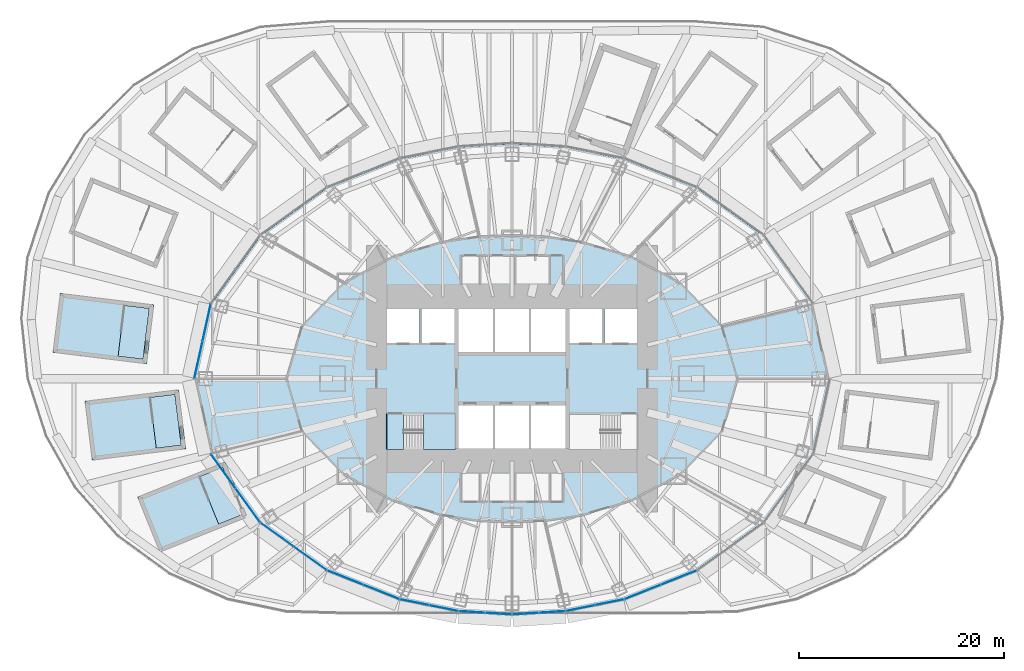
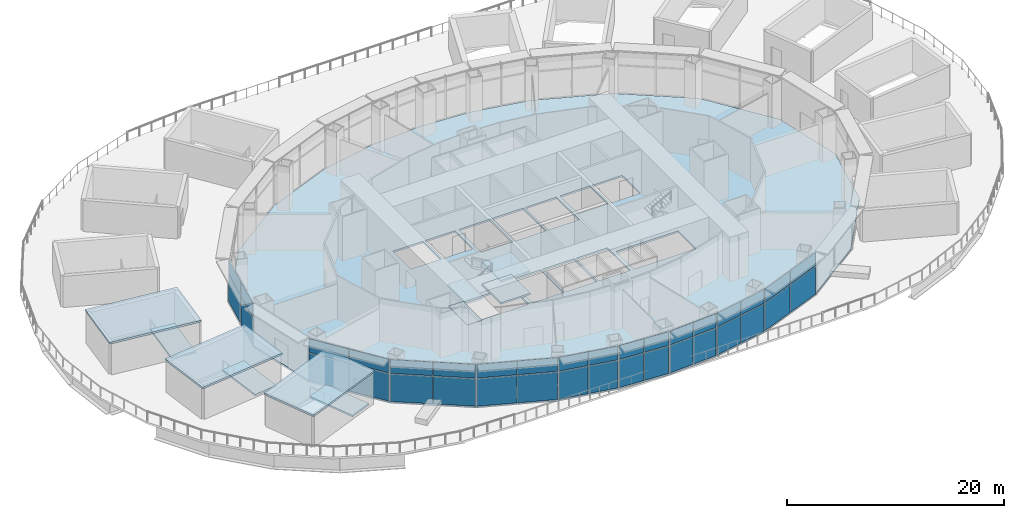
# One storey, part 13 of 25: 36 plates, 11 slabs, 10 elements without a shape of their own.
"""IFC4 building model written with IfcOpenShell, lengths in metres."""

from ifc_helpers import new_model, si_unit, direction, frame, origin, origin_2d, place, context, subcontext, project, spatial, polyline, rectangle, outline, extrude, material, layer, layer_set, type_object, element, aggregate, save


model = new_model("IFC4")

# Units and contexts
model_context = context("Model", 3, precision=1e-05, world=origin(), true_north=direction((0.0, 1.0)))
body_context = subcontext(model_context, "Body", "Model", "MODEL_VIEW")
ifc_project = project(units=[si_unit("LENGTHUNIT", "METRE"), si_unit("AREAUNIT", "SQUARE_METRE"), si_unit("VOLUMEUNIT", "CUBIC_METRE"), si_unit("PLANEANGLEUNIT", "RADIAN"), si_unit("MASSUNIT", "GRAM", prefix="KILO")], contexts=[model_context])

# Site, building, storey
site_placement = place(None, origin())
site = spatial("IfcSite", under=ifc_project, at=site_placement, CompositionType="ELEMENT")
building_placement = place(site_placement, origin())
building = spatial("IfcBuilding", under=site, at=building_placement, Name="Lantaw Convention Tower", CompositionType="ELEMENT")
storey_placement = place(building_placement, frame((0.0, 0.0, 32.0)))
storey = spatial("IfcBuildingStorey", under=building, at=storey_placement, Name="L05", CompositionType="ELEMENT", Elevation=32.0)

# Curtain wall, plates
ifc_material_1 = material(Name="Aluminium framed curtain wall", Category="aluminium")
curtain_wall_type = type_object("IfcCurtainWallType", Name="Sky lobby curtain wall L05, pale aluminium", PredefinedType="USERDEFINED", material=ifc_material_1)
curtain_wall_1_placement = place(storey_placement, origin())
curtain_wall_1 = element("IfcCurtainWall", 1, at=curtain_wall_1_placement, inside=storey, type_object=curtain_wall_type, Name="Sky lobby curtain wall L05, pale aluminium L05", ObjectType="STICK CURTAIN WALL", PredefinedType="USERDEFINED")
ifc_material_2 = material(Name="Clear insulating glass", Category="glass")
ifc_layer_1 = layer(ifc_material_2, 0.030029296875)
ifc_layer_set_1 = layer_set([ifc_layer_1], Name="CW-HL panel 30")
plate_type = type_object("IfcPlateType", Name="CW-HL panel 30", PredefinedType="CURTAIN_PANEL", material=ifc_layer_set_1)
plate_1_placement = place(storey_placement, frame((-29.79296875, 5.4765625, 0.074951171875), z_axis=(0.0, 0.0, 1.0), x_axis=(-0.215246056391, -0.976559847223, 0.0)))
plate_1 = element("IfcPlate", 2, at=plate_1_placement, type_object=plate_type, Name="CW-HL panel 1.1", PredefinedType="CURTAIN_PANEL", context=body_context, shape_type="SweptSolid", body=[
    extrude(rectangle(XDim=3.638671875, YDim=0.030029296875, at=origin_2d()), origin(), (0.0, 0.0, 1.0), 3.08740234375),
])
plate_2_placement = place(storey_placement, frame((-29.79296875, 5.4765625, 3.237548828125), z_axis=(0.0, 0.0, 1.0), x_axis=(-0.215246056391, -0.976559847223, 0.0)))
plate_2 = element("IfcPlate", 3, at=plate_2_placement, type_object=plate_type, Name="CW-HL panel 1.2", PredefinedType="CURTAIN_PANEL", context=body_context, shape_type="SweptSolid", body=[
    extrude(rectangle(XDim=3.638671875, YDim=0.030029296875, at=origin_2d()), origin(), (0.0, 0.0, 1.0), 1.53759765625),
])
plate_3_placement = place(storey_placement, frame((-30.59228515625, 1.849853515625, 0.074951171875), z_axis=(0.0, 0.0, 1.0), x_axis=(-0.215246056391, -0.976559847223, 0.0)))
plate_3 = element("IfcPlate", 4, at=plate_3_placement, type_object=plate_type, Name="CW-HL panel 2.1", PredefinedType="CURTAIN_PANEL", context=body_context, shape_type="SweptSolid", body=[
    extrude(rectangle(XDim=3.638671875, YDim=0.030029296875, at=origin_2d()), origin(), (0.0, 0.0, 1.0), 3.08740234375),
])
plate_4_placement = place(storey_placement, frame((-30.59228515625, 1.849853515625, 3.237548828125), z_axis=(0.0, 0.0, 1.0), x_axis=(-0.215246056391, -0.976559847223, 0.0)))
plate_4 = element("IfcPlate", 5, at=plate_4_placement, type_object=plate_type, Name="CW-HL panel 2.2", PredefinedType="CURTAIN_PANEL", context=body_context, shape_type="SweptSolid", body=[
    extrude(rectangle(XDim=3.638671875, YDim=0.030029296875, at=origin_2d()), origin(), (0.0, 0.0, 1.0), 1.53759765625),
])
aggregate(curtain_wall_1, [plate_1, plate_2, plate_3, plate_4])

curtain_wall_2_placement = place(storey_placement, origin())
curtain_wall_2 = element("IfcCurtainWall", 6, at=curtain_wall_2_placement, inside=storey, type_object=curtain_wall_type, Name="Sky lobby curtain wall L05, pale aluminium L05", ObjectType="STICK CURTAIN WALL", PredefinedType="USERDEFINED")
plate_5_placement = place(storey_placement, frame((-28.16796875, -9.018798828125, 0.074951171875), z_axis=(0.0, 0.0, 1.0), x_axis=(0.583951250436, -0.811788726895, 0.0)))
plate_5 = element("IfcPlate", 7, at=plate_5_placement, type_object=plate_type, Name="CW-HL panel 1.1", PredefinedType="CURTAIN_PANEL", context=body_context, shape_type="SweptSolid", body=[
    extrude(rectangle(XDim=4.01904296875, YDim=0.030029296875, at=origin_2d()), origin(), (0.0, 0.0, 1.0), 3.08740234375),
])
plate_6_placement = place(storey_placement, frame((-28.16796875, -9.018798828125, 3.237548828125), z_axis=(0.0, 0.0, 1.0), x_axis=(0.583951250436, -0.811788726895, 0.0)))
plate_6 = element("IfcPlate", 8, at=plate_6_placement, type_object=plate_type, Name="CW-HL panel 1.2", PredefinedType="CURTAIN_PANEL", context=body_context, shape_type="SweptSolid", body=[
    extrude(rectangle(XDim=4.01904296875, YDim=0.030029296875, at=origin_2d()), origin(), (0.0, 0.0, 1.0), 1.53759765625),
])
plate_7_placement = place(storey_placement, frame((-25.77734375, -12.342041015625, 0.074951171875), z_axis=(0.0, 0.0, 1.0), x_axis=(0.583951250436, -0.811788726895, 0.0)))
plate_7 = element("IfcPlate", 9, at=plate_7_placement, type_object=plate_type, Name="CW-HL panel 2.1", PredefinedType="CURTAIN_PANEL", context=body_context, shape_type="SweptSolid", body=[
    extrude(rectangle(XDim=4.01904296875, YDim=0.030029296875, at=origin_2d()), origin(), (0.0, 0.0, 1.0), 3.08740234375),
])
plate_8_placement = place(storey_placement, frame((-25.77734375, -12.342041015625, 3.237548828125), z_axis=(0.0, 0.0, 1.0), x_axis=(0.583951250436, -0.811788726895, 0.0)))
plate_8 = element("IfcPlate", 10, at=plate_8_placement, type_object=plate_type, Name="CW-HL panel 2.2", PredefinedType="CURTAIN_PANEL", context=body_context, shape_type="SweptSolid", body=[
    extrude(rectangle(XDim=4.01904296875, YDim=0.030029296875, at=origin_2d()), origin(), (0.0, 0.0, 1.0), 1.53759765625),
])
aggregate(curtain_wall_2, [plate_5, plate_6, plate_7, plate_8])

curtain_wall_3_placement = place(storey_placement, origin())
curtain_wall_3 = element("IfcCurtainWall", 11, at=curtain_wall_3_placement, inside=storey, type_object=curtain_wall_type, Name="Sky lobby curtain wall L05, pale aluminium L05", ObjectType="STICK CURTAIN WALL", PredefinedType="USERDEFINED")
plate_9_placement = place(storey_placement, frame((-22.91845703125, -15.210693359375, 0.074951171875), z_axis=(0.0, 0.0, 1.0), x_axis=(0.812803733199, -0.5825376308, 0.0)))
plate_9 = element("IfcPlate", 12, at=plate_9_placement, type_object=plate_type, Name="CW-HL panel 1.1", PredefinedType="CURTAIN_PANEL", context=body_context, shape_type="SweptSolid", body=[
    extrude(rectangle(XDim=3.88916015625, YDim=0.030029296875, at=origin_2d()), origin(), (0.0, 0.0, 1.0), 3.08740234375),
])
plate_10_placement = place(storey_placement, frame((-22.91845703125, -15.210693359375, 3.237548828125), z_axis=(0.0, 0.0, 1.0), x_axis=(0.812803733199, -0.5825376308, 0.0)))
plate_10 = element("IfcPlate", 13, at=plate_10_placement, type_object=plate_type, Name="CW-HL panel 1.2", PredefinedType="CURTAIN_PANEL", context=body_context, shape_type="SweptSolid", body=[
    extrude(rectangle(XDim=3.88916015625, YDim=0.030029296875, at=origin_2d()), origin(), (0.0, 0.0, 1.0), 1.53759765625),
])
plate_11_placement = place(storey_placement, frame((-19.696533203125, -17.52001953125, 0.074951171875), z_axis=(0.0, 0.0, 1.0), x_axis=(0.812803733199, -0.5825376308, 0.0)))
plate_11 = element("IfcPlate", 14, at=plate_11_placement, type_object=plate_type, Name="CW-HL panel 2.1", PredefinedType="CURTAIN_PANEL", context=body_context, shape_type="SweptSolid", body=[
    extrude(rectangle(XDim=3.88916015625, YDim=0.030029296875, at=origin_2d()), origin(), (0.0, 0.0, 1.0), 3.08740234375),
])
plate_12_placement = place(storey_placement, frame((-19.696533203125, -17.52001953125, 3.237548828125), z_axis=(0.0, 0.0, 1.0), x_axis=(0.812803733199, -0.5825376308, 0.0)))
plate_12 = element("IfcPlate", 15, at=plate_12_placement, type_object=plate_type, Name="CW-HL panel 2.2", PredefinedType="CURTAIN_PANEL", context=body_context, shape_type="SweptSolid", body=[
    extrude(rectangle(XDim=3.88916015625, YDim=0.030029296875, at=origin_2d()), origin(), (0.0, 0.0, 1.0), 1.53759765625),
])
aggregate(curtain_wall_3, [plate_9, plate_10, plate_11, plate_12])

curtain_wall_4_placement = place(storey_placement, origin())
curtain_wall_4 = element("IfcCurtainWall", 16, at=curtain_wall_4_placement, inside=storey, type_object=curtain_wall_type, Name="Sky lobby curtain wall L05, pale aluminium L05", ObjectType="STICK CURTAIN WALL", PredefinedType="USERDEFINED")
plate_13_placement = place(storey_placement, frame((-16.26416015625, -19.40771484375, 0.074951171875), z_axis=(0.0, 0.0, 1.0), x_axis=(0.929361152748, -0.369171840425, 0.0)))
plate_13 = element("IfcPlate", 17, at=plate_13_placement, type_object=plate_type, Name="CW-HL panel 1.1", PredefinedType="CURTAIN_PANEL", context=body_context, shape_type="SweptSolid", body=[
    extrude(rectangle(XDim=3.70361328125, YDim=0.030029296875, at=origin_2d()), origin(), (0.0, 0.0, 1.0), 3.08740234375),
])
plate_14_placement = place(storey_placement, frame((-16.26416015625, -19.40771484375, 3.237548828125), z_axis=(0.0, 0.0, 1.0), x_axis=(0.929361152748, -0.369171840425, 0.0)))
plate_14 = element("IfcPlate", 18, at=plate_14_placement, type_object=plate_type, Name="CW-HL panel 1.2", PredefinedType="CURTAIN_PANEL", context=body_context, shape_type="SweptSolid", body=[
    extrude(rectangle(XDim=3.70361328125, YDim=0.030029296875, at=origin_2d()), origin(), (0.0, 0.0, 1.0), 1.53759765625),
])
plate_15_placement = place(storey_placement, frame((-12.752685546875, -20.802734375, 0.074951171875), z_axis=(0.0, 0.0, 1.0), x_axis=(0.929361152748, -0.369171840425, 0.0)))
plate_15 = element("IfcPlate", 19, at=plate_15_placement, type_object=plate_type, Name="CW-HL panel 2.1", PredefinedType="CURTAIN_PANEL", context=body_context, shape_type="SweptSolid", body=[
    extrude(rectangle(XDim=3.70361328125, YDim=0.030029296875, at=origin_2d()), origin(), (0.0, 0.0, 1.0), 3.08740234375),
])
plate_16_placement = place(storey_placement, frame((-12.752685546875, -20.802734375, 3.237548828125), z_axis=(0.0, 0.0, 1.0), x_axis=(0.929361152748, -0.369171840425, 0.0)))
plate_16 = element("IfcPlate", 20, at=plate_16_placement, type_object=plate_type, Name="CW-HL panel 2.2", PredefinedType="CURTAIN_PANEL", context=body_context, shape_type="SweptSolid", body=[
    extrude(rectangle(XDim=3.70361328125, YDim=0.030029296875, at=origin_2d()), origin(), (0.0, 0.0, 1.0), 1.53759765625),
])
aggregate(curtain_wall_4, [plate_13, plate_14, plate_15, plate_16])

curtain_wall_5_placement = place(storey_placement, origin())
curtain_wall_5 = element("IfcCurtainWall", 21, at=curtain_wall_5_placement, inside=storey, type_object=curtain_wall_type, Name="Sky lobby curtain wall L05, pale aluminium L05", ObjectType="STICK CURTAIN WALL", PredefinedType="USERDEFINED")
plate_17_placement = place(storey_placement, frame((-9.511474609375, -21.806640625, 0.074951171875), z_axis=(0.0, 0.0, 1.0), x_axis=(0.980244604501, -0.197789067813, 0.0)))
plate_17 = element("IfcPlate", 22, at=plate_17_placement, type_object=plate_type, Name="CW-HL panel 1.1", PredefinedType="CURTAIN_PANEL", context=body_context, shape_type="SweptSolid", body=[
    extrude(rectangle(XDim=2.809326171875, YDim=0.030029296875, at=origin_2d()), origin(), (0.0, 0.0, 1.0), 3.08740234375),
])
plate_18_placement = place(storey_placement, frame((-9.511474609375, -21.806640625, 3.237548828125), z_axis=(0.0, 0.0, 1.0), x_axis=(0.980244604501, -0.197789067813, 0.0)))
plate_18 = element("IfcPlate", 23, at=plate_18_placement, type_object=plate_type, Name="CW-HL panel 1.2", PredefinedType="CURTAIN_PANEL", context=body_context, shape_type="SweptSolid", body=[
    extrude(rectangle(XDim=2.809326171875, YDim=0.030029296875, at=origin_2d()), origin(), (0.0, 0.0, 1.0), 1.53759765625),
])
plate_19_placement = place(storey_placement, frame((-6.68408203125, -22.377197265625, 0.074951171875), z_axis=(0.0, 0.0, 1.0), x_axis=(0.980244604501, -0.197789067813, 0.0)))
plate_19 = element("IfcPlate", 24, at=plate_19_placement, type_object=plate_type, Name="CW-HL panel 2.1", PredefinedType="CURTAIN_PANEL", context=body_context, shape_type="SweptSolid", body=[
    extrude(rectangle(XDim=2.809326171875, YDim=0.030029296875, at=origin_2d()), origin(), (0.0, 0.0, 1.0), 3.08740234375),
])
plate_20_placement = place(storey_placement, frame((-6.68408203125, -22.377197265625, 3.237548828125), z_axis=(0.0, 0.0, 1.0), x_axis=(0.980244604501, -0.197789067813, 0.0)))
plate_20 = element("IfcPlate", 25, at=plate_20_placement, type_object=plate_type, Name="CW-HL panel 2.2", PredefinedType="CURTAIN_PANEL", context=body_context, shape_type="SweptSolid", body=[
    extrude(rectangle(XDim=2.809326171875, YDim=0.030029296875, at=origin_2d()), origin(), (0.0, 0.0, 1.0), 1.53759765625),
])
aggregate(curtain_wall_5, [plate_17, plate_18, plate_19, plate_20])

curtain_wall_6_placement = place(storey_placement, origin())
curtain_wall_6 = element("IfcCurtainWall", 26, at=curtain_wall_6_placement, inside=storey, type_object=curtain_wall_type, Name="Sky lobby curtain wall L05, pale aluminium L05", ObjectType="STICK CURTAIN WALL", PredefinedType="USERDEFINED")
plate_21_placement = place(storey_placement, frame((-3.906494140625, -22.753662109375, 0.074951171875), z_axis=(0.0, 0.0, 1.0), x_axis=(0.998016153807, -0.062958373078, 0.0)))
plate_21 = element("IfcPlate", 27, at=plate_21_placement, type_object=plate_type, Name="CW-HL panel 1.1", PredefinedType="CURTAIN_PANEL", context=body_context, shape_type="SweptSolid", body=[
    extrude(rectangle(XDim=2.509521484375, YDim=0.030029296875, at=origin_2d()), origin(), (0.0, 0.0, 1.0), 3.08740234375),
])
plate_22_placement = place(storey_placement, frame((-3.906494140625, -22.753662109375, 3.237548828125), z_axis=(0.0, 0.0, 1.0), x_axis=(0.998016153807, -0.062958373078, 0.0)))
plate_22 = element("IfcPlate", 28, at=plate_22_placement, type_object=plate_type, Name="CW-HL panel 1.2", PredefinedType="CURTAIN_PANEL", context=body_context, shape_type="SweptSolid", body=[
    extrude(rectangle(XDim=2.509521484375, YDim=0.030029296875, at=origin_2d()), origin(), (0.0, 0.0, 1.0), 1.53759765625),
])
plate_23_placement = place(storey_placement, frame((-1.3271484375, -22.916259765625, 0.074951171875), z_axis=(0.0, 0.0, 1.0), x_axis=(0.998016153807, -0.062958373078, 0.0)))
plate_23 = element("IfcPlate", 29, at=plate_23_placement, type_object=plate_type, Name="CW-HL panel 2.1", PredefinedType="CURTAIN_PANEL", context=body_context, shape_type="SweptSolid", body=[
    extrude(rectangle(XDim=2.509521484375, YDim=0.030029296875, at=origin_2d()), origin(), (0.0, 0.0, 1.0), 3.08740234375),
])
plate_24_placement = place(storey_placement, frame((-1.3271484375, -22.916259765625, 3.237548828125), z_axis=(0.0, 0.0, 1.0), x_axis=(0.998016153807, -0.062958373078, 0.0)))
plate_24 = element("IfcPlate", 30, at=plate_24_placement, type_object=plate_type, Name="CW-HL panel 2.2", PredefinedType="CURTAIN_PANEL", context=body_context, shape_type="SweptSolid", body=[
    extrude(rectangle(XDim=2.509521484375, YDim=0.030029296875, at=origin_2d()), origin(), (0.0, 0.0, 1.0), 1.53759765625),
])
aggregate(curtain_wall_6, [plate_21, plate_22, plate_23, plate_24])

curtain_wall_7_placement = place(storey_placement, origin())
curtain_wall_7 = element("IfcCurtainWall", 31, at=curtain_wall_7_placement, inside=storey, type_object=curtain_wall_type, Name="Sky lobby curtain wall L05, pale aluminium L05", ObjectType="STICK CURTAIN WALL", PredefinedType="USERDEFINED")
plate_25_placement = place(storey_placement, frame((1.3271484375, -22.916259765625, 0.074951171875), z_axis=(0.0, 0.0, 1.0), x_axis=(0.998016153807, 0.062958373078, 0.0)))
plate_25 = element("IfcPlate", 32, at=plate_25_placement, type_object=plate_type, Name="CW-HL panel 1.1", PredefinedType="CURTAIN_PANEL", context=body_context, shape_type="SweptSolid", body=[
    extrude(rectangle(XDim=2.509521484375, YDim=0.030029296875, at=origin_2d()), origin(), (0.0, 0.0, 1.0), 3.08740234375),
])
plate_26_placement = place(storey_placement, frame((1.3271484375, -22.916259765625, 3.237548828125), z_axis=(0.0, 0.0, 1.0), x_axis=(0.998016153807, 0.062958373078, 0.0)))
plate_26 = element("IfcPlate", 33, at=plate_26_placement, type_object=plate_type, Name="CW-HL panel 1.2", PredefinedType="CURTAIN_PANEL", context=body_context, shape_type="SweptSolid", body=[
    extrude(rectangle(XDim=2.509521484375, YDim=0.030029296875, at=origin_2d()), origin(), (0.0, 0.0, 1.0), 1.53759765625),
])
plate_27_placement = place(storey_placement, frame((3.906494140625, -22.753662109375, 0.074951171875), z_axis=(0.0, 0.0, 1.0), x_axis=(0.998016153807, 0.062958373078, 0.0)))
plate_27 = element("IfcPlate", 34, at=plate_27_placement, type_object=plate_type, Name="CW-HL panel 2.1", PredefinedType="CURTAIN_PANEL", context=body_context, shape_type="SweptSolid", body=[
    extrude(rectangle(XDim=2.509521484375, YDim=0.030029296875, at=origin_2d()), origin(), (0.0, 0.0, 1.0), 3.08740234375),
])
plate_28_placement = place(storey_placement, frame((3.906494140625, -22.753662109375, 3.237548828125), z_axis=(0.0, 0.0, 1.0), x_axis=(0.998016153807, 0.062958373078, 0.0)))
plate_28 = element("IfcPlate", 35, at=plate_28_placement, type_object=plate_type, Name="CW-HL panel 2.2", PredefinedType="CURTAIN_PANEL", context=body_context, shape_type="SweptSolid", body=[
    extrude(rectangle(XDim=2.509521484375, YDim=0.030029296875, at=origin_2d()), origin(), (0.0, 0.0, 1.0), 1.53759765625),
])
aggregate(curtain_wall_7, [plate_25, plate_26, plate_27, plate_28])

curtain_wall_8_placement = place(storey_placement, origin())
curtain_wall_8 = element("IfcCurtainWall", 36, at=curtain_wall_8_placement, inside=storey, type_object=curtain_wall_type, Name="Sky lobby curtain wall L05, pale aluminium L05", ObjectType="STICK CURTAIN WALL", PredefinedType="USERDEFINED")
plate_29_placement = place(storey_placement, frame((6.68408203125, -22.377197265625, 0.074951171875), z_axis=(0.0, 0.0, 1.0), x_axis=(0.980244604501, 0.197789067813, 0.0)))
plate_29 = element("IfcPlate", 37, at=plate_29_placement, type_object=plate_type, Name="CW-HL panel 1.1", PredefinedType="CURTAIN_PANEL", context=body_context, shape_type="SweptSolid", body=[
    extrude(rectangle(XDim=2.809326171875, YDim=0.030029296875, at=origin_2d()), origin(), (0.0, 0.0, 1.0), 3.08740234375),
])
plate_30_placement = place(storey_placement, frame((6.68408203125, -22.377197265625, 3.237548828125), z_axis=(0.0, 0.0, 1.0), x_axis=(0.980244604501, 0.197789067813, 0.0)))
plate_30 = element("IfcPlate", 38, at=plate_30_placement, type_object=plate_type, Name="CW-HL panel 1.2", PredefinedType="CURTAIN_PANEL", context=body_context, shape_type="SweptSolid", body=[
    extrude(rectangle(XDim=2.809326171875, YDim=0.030029296875, at=origin_2d()), origin(), (0.0, 0.0, 1.0), 1.53759765625),
])
plate_31_placement = place(storey_placement, frame((9.511474609375, -21.806640625, 0.074951171875), z_axis=(0.0, 0.0, 1.0), x_axis=(0.980244604501, 0.197789067813, 0.0)))
plate_31 = element("IfcPlate", 39, at=plate_31_placement, type_object=plate_type, Name="CW-HL panel 2.1", PredefinedType="CURTAIN_PANEL", context=body_context, shape_type="SweptSolid", body=[
    extrude(rectangle(XDim=2.809326171875, YDim=0.030029296875, at=origin_2d()), origin(), (0.0, 0.0, 1.0), 3.08740234375),
])
plate_32_placement = place(storey_placement, frame((9.511474609375, -21.806640625, 3.237548828125), z_axis=(0.0, 0.0, 1.0), x_axis=(0.980244604501, 0.197789067813, 0.0)))
plate_32 = element("IfcPlate", 40, at=plate_32_placement, type_object=plate_type, Name="CW-HL panel 2.2", PredefinedType="CURTAIN_PANEL", context=body_context, shape_type="SweptSolid", body=[
    extrude(rectangle(XDim=2.809326171875, YDim=0.030029296875, at=origin_2d()), origin(), (0.0, 0.0, 1.0), 1.53759765625),
])
aggregate(curtain_wall_8, [plate_29, plate_30, plate_31, plate_32])

curtain_wall_9_placement = place(storey_placement, origin())
curtain_wall_9 = element("IfcCurtainWall", 41, at=curtain_wall_9_placement, inside=storey, type_object=curtain_wall_type, Name="Sky lobby curtain wall L05, pale aluminium L05", ObjectType="STICK CURTAIN WALL", PredefinedType="USERDEFINED")
plate_33_placement = place(storey_placement, frame((12.752685546875, -20.802734375, 0.074951171875), z_axis=(0.0, 0.0, 1.0), x_axis=(0.929361152748, 0.369171840425, 0.0)))
plate_33 = element("IfcPlate", 42, at=plate_33_placement, type_object=plate_type, Name="CW-HL panel 1.1", PredefinedType="CURTAIN_PANEL", context=body_context, shape_type="SweptSolid", body=[
    extrude(rectangle(XDim=3.70361328125, YDim=0.030029296875, at=origin_2d()), origin(), (0.0, 0.0, 1.0), 3.08740234375),
])
plate_34_placement = place(storey_placement, frame((12.752685546875, -20.802734375, 3.237548828125), z_axis=(0.0, 0.0, 1.0), x_axis=(0.929361152748, 0.369171840425, 0.0)))
plate_34 = element("IfcPlate", 43, at=plate_34_placement, type_object=plate_type, Name="CW-HL panel 1.2", PredefinedType="CURTAIN_PANEL", context=body_context, shape_type="SweptSolid", body=[
    extrude(rectangle(XDim=3.70361328125, YDim=0.030029296875, at=origin_2d()), origin(), (0.0, 0.0, 1.0), 1.53759765625),
])
plate_35_placement = place(storey_placement, frame((16.26416015625, -19.40771484375, 0.074951171875), z_axis=(0.0, 0.0, 1.0), x_axis=(0.929361152748, 0.369171840425, 0.0)))
plate_35 = element("IfcPlate", 44, at=plate_35_placement, type_object=plate_type, Name="CW-HL panel 2.1", PredefinedType="CURTAIN_PANEL", context=body_context, shape_type="SweptSolid", body=[
    extrude(rectangle(XDim=3.70361328125, YDim=0.030029296875, at=origin_2d()), origin(), (0.0, 0.0, 1.0), 3.08740234375),
])
plate_36_placement = place(storey_placement, frame((16.26416015625, -19.40771484375, 3.237548828125), z_axis=(0.0, 0.0, 1.0), x_axis=(0.929361152748, 0.369171840425, 0.0)))
plate_36 = element("IfcPlate", 45, at=plate_36_placement, type_object=plate_type, Name="CW-HL panel 2.2", PredefinedType="CURTAIN_PANEL", context=body_context, shape_type="SweptSolid", body=[
    extrude(rectangle(XDim=3.70361328125, YDim=0.030029296875, at=origin_2d()), origin(), (0.0, 0.0, 1.0), 1.53759765625),
])
aggregate(curtain_wall_9, [plate_33, plate_34, plate_35, plate_36])

# Slabs
ifc_material_3 = material(Name="Concrete C35/45", Category="concrete")
ifc_layer_2 = layer(ifc_material_3, 0.199951171875)
ifc_layer_set_2 = layer_set([ifc_layer_2], Name="Floor slab 200")
slab_type_1 = type_object("IfcSlabType", Name="Floor slab 200", PredefinedType="FLOOR", material=ifc_layer_set_2)
slab_1_placement = place(storey_placement, frame((0.0, 0.0, -0.199951171875)))
element("IfcSlab", 46, at=slab_1_placement, inside=storey, type_object=slab_type_1, Name="L05 floor slab", PredefinedType="FLOOR", context=body_context, shape_type="SweptSolid", body=[
    extrude(outline(polyline([(-29.315185546875, -7.29541015625), (-28.322265625, -8.67578125), (-28.209716796875, -8.630615234375), (-28.026611328125, -9.086669921875), (-24.50634765625, -13.98046875), (-18.018798828125, -18.630126953125), (-10.9404296875, -21.44189453125), (-5.223876953125, -22.59521484375), (0.0, -22.9248046875), (5.223876953125, -22.59521484375), (10.9404296875, -21.44189453125), (18.018798828125, -18.630126953125), (24.50634765625, -13.98046875), (28.02685546875, -9.08642578125), (28.209716796875, -8.630615234375), (28.322265625, -8.67578125), (29.315185546875, -7.29541015625), (30.923095703125, 0.0), (29.315185546875, 7.29541015625), (24.50634765625, 13.98046875), (18.018798828125, 18.630126953125), (10.9404296875, 21.44189453125), (5.223876953125, 22.59521484375), (0.0, 22.9248046875), (-5.223876953125, 22.59521484375), (-10.9404296875, 21.44189453125), (-18.018798828125, 18.630126953125), (-24.50634765625, 13.98046875), (-29.315185546875, 7.29541015625), (-30.923095703125, 0.0), (-29.315185546875, -7.29541015625)]), holes=[polyline([(-12.199951171875, -6.800048828125), (-5.60009765625, -6.800048828125), (-5.60009765625, -3.5), (-12.199951171875, -3.5), (-12.199951171875, -6.800048828125)]), polyline([(-5.199951171875, -6.800048828125), (-1.86669921875, -6.800048828125), (-1.86669921875, -2.60009765625), (-5.199951171875, -2.60009765625), (-5.199951171875, -6.800048828125)]), polyline([(1.666748046875, -6.800048828125), (1.666748046875, -2.60009765625), (-1.666748046875, -2.60009765625), (-1.666748046875, -6.800048828125), (1.666748046875, -6.800048828125)]), polyline([(-5.199951171875, 2.60009765625), (-1.86669921875, 2.60009765625), (-1.86669921875, 6.800048828125), (-5.199951171875, 6.800048828125), (-5.199951171875, 2.60009765625)]), polyline([(1.666748046875, 2.60009765625), (1.666748046875, 6.800048828125), (-1.666748046875, 6.800048828125), (-1.666748046875, 2.60009765625), (1.666748046875, 2.60009765625)]), polyline([(-12.199951171875, 3.5), (-9.0, 3.5), (-9.0, 6.800048828125), (-12.199951171875, 6.800048828125), (-12.199951171875, 3.5)]), polyline([(-5.60009765625, 3.5), (-5.60009765625, 6.800048828125), (-8.800048828125, 6.800048828125), (-8.800048828125, 3.5), (-5.60009765625, 3.5)]), polyline([(5.60009765625, -6.800048828125), (12.199951171875, -6.800048828125), (12.199951171875, -3.5), (5.60009765625, -3.5), (5.60009765625, -6.800048828125)]), polyline([(5.199951171875, -6.800048828125), (5.199951171875, -2.60009765625), (1.86669921875, -2.60009765625), (1.86669921875, -6.800048828125), (5.199951171875, -6.800048828125)]), polyline([(1.86669921875, 2.60009765625), (5.199951171875, 2.60009765625), (5.199951171875, 6.800048828125), (1.86669921875, 6.800048828125), (1.86669921875, 2.60009765625)]), polyline([(5.60009765625, 3.5), (8.800048828125, 3.5), (8.800048828125, 6.800048828125), (5.60009765625, 6.800048828125), (5.60009765625, 3.5)]), polyline([(9.0, 3.5), (12.199951171875, 3.5), (12.199951171875, 6.800048828125), (9.0, 6.800048828125), (9.0, 3.5)])]), origin(), (0.0, 0.0, 1.0), 0.199951171875),
])
ifc_layer_3 = layer(ifc_material_3, 0.199951171875)
ifc_layer_set_3 = layer_set([ifc_layer_3], Name="Roof slab 200")
slab_type_2 = type_object("IfcSlabType", Name="Roof slab 200", PredefinedType="ROOF", material=ifc_layer_set_3)
slab_2_placement = place(storey_placement, frame((0.0, 0.0, 3.5)))
element("IfcSlab", 47, at=slab_2_placement, inside=storey, type_object=slab_type_2, Name="Stair head-house roof", PredefinedType="ROOF", context=body_context, shape_type="SweptSolid", body=[
    extrude(outline(polyline([(-34.94189453125, 7.212158203125), (-44.0732421875, 8.333251953125), (-44.780029296875, 2.576416015625), (-35.648681640625, 1.455322265625), (-34.94189453125, 7.212158203125)])), origin(), (0.0, 0.0, 1.0), 0.199951171875),
])
slab_3_placement = place(storey_placement, frame((0.0, 0.0, 3.5)))
element("IfcSlab", 48, at=slab_3_placement, inside=storey, type_object=slab_type_2, Name="Stair head-house roof", PredefinedType="ROOF", context=body_context, shape_type="SweptSolid", body=[
    extrude(outline(polyline([(-32.534423828125, -1.072998046875), (-41.666015625, -2.194091796875), (-40.958984375, -7.950927734375), (-31.82763671875, -6.829833984375), (-32.534423828125, -1.072998046875)])), origin(), (0.0, 0.0, 1.0), 0.199951171875),
])
slab_4_placement = place(storey_placement, frame((0.0, 0.0, 3.5)))
element("IfcSlab", 49, at=slab_4_placement, inside=storey, type_object=slab_type_2, Name="Stair head-house roof", PredefinedType="ROOF", context=body_context, shape_type="SweptSolid", body=[
    extrude(outline(polyline([(-27.987548828125, -8.1103515625), (-36.525390625, -11.537841796875), (-34.364501953125, -16.920166015625), (-25.826904296875, -13.492919921875), (-27.987548828125, -8.1103515625)])), origin(), (0.0, 0.0, 1.0), 0.199951171875),
])

# Stair, slabs
stair_type = type_object("IfcStairType", Name="Exit stair 1500 riser 156.25 in 4 flights", PredefinedType="HALF_TURN_STAIR", material=ifc_material_3)
stair_placement = place(storey_placement, origin())
stair = element("IfcStair", 50, at=stair_placement, inside=storey, type_object=stair_type, Name="Exit stair S1 L05", PredefinedType="HALF_TURN_STAIR")
ifc_layer_4 = layer(ifc_material_3, 0.199951171875)
ifc_layer_set_4 = layer_set([ifc_layer_4], Name="Stair landing 200")
slab_type_3 = type_object("IfcSlabType", Name="Stair landing 200", PredefinedType="LANDING", material=ifc_layer_set_4)
slab_5_placement = place(storey_placement, frame((0.0, 0.0, -0.199951171875)))
slab_5 = element("IfcSlab", 51, at=slab_5_placement, type_object=slab_type_3, Name="S1 landing 1", PredefinedType="LANDING", context=body_context, shape_type="SweptSolid", body=[
    extrude(outline(polyline([(-12.199951171875, -6.89990234375), (-10.580078125, -6.89990234375), (-10.580078125, -3.39990234375), (-12.199951171875, -3.39990234375), (-12.199951171875, -6.89990234375)])), origin(), (0.0, 0.0, 1.0), 0.199951171875),
])
slab_6_placement = place(storey_placement, frame((0.0, 0.0, 1.050048828125)))
slab_6 = element("IfcSlab", 52, at=slab_6_placement, type_object=slab_type_3, Name="S1 landing 2", PredefinedType="LANDING", context=body_context, shape_type="SweptSolid", body=[
    extrude(outline(polyline([(-8.6201171875, -6.89990234375), (-5.5, -6.89990234375), (-5.5, -3.39990234375), (-8.6201171875, -3.39990234375), (-8.6201171875, -6.89990234375)])), origin(), (0.0, 0.0, 1.0), 0.199951171875),
])
slab_7_placement = place(storey_placement, frame((0.0, 0.0, 2.300048828125)))
slab_7 = element("IfcSlab", 53, at=slab_7_placement, type_object=slab_type_3, Name="S1 landing 3", PredefinedType="LANDING", context=body_context, shape_type="SweptSolid", body=[
    extrude(outline(polyline([(-12.300048828125, -6.89990234375), (-10.580078125, -6.89990234375), (-10.580078125, -3.39990234375), (-12.300048828125, -3.39990234375), (-12.300048828125, -6.89990234375)])), origin(), (0.0, 0.0, 1.0), 0.199951171875),
])
slab_8_placement = place(storey_placement, frame((0.0, 0.0, 3.550048828125)))
slab_8 = element("IfcSlab", 54, at=slab_8_placement, type_object=slab_type_3, Name="S1 landing 4", PredefinedType="LANDING", context=body_context, shape_type="SweptSolid", body=[
    extrude(outline(polyline([(-8.6201171875, -6.89990234375), (-5.5, -6.89990234375), (-5.5, -3.39990234375), (-8.6201171875, -3.39990234375), (-8.6201171875, -6.89990234375)])), origin(), (0.0, 0.0, 1.0), 0.199951171875),
])
aggregate(stair, [slab_5, slab_6, slab_7, slab_8])

# Slabs
slab_9_placement = place(storey_placement, frame((0.0, 0.0, -0.199951171875)))
element("IfcSlab", 55, at=slab_9_placement, inside=storey, type_object=slab_type_3, Name="Podium exit stair P9 top landing", PredefinedType="LANDING", context=body_context, shape_type="SweptSolid", body=[
    extrude(outline(polyline([(-35.387451171875, 6.86376953125), (-37.8212890625, 7.16259765625), (-38.4306640625, 2.199951171875), (-35.996826171875, 1.901123046875), (-35.387451171875, 6.86376953125)])), origin(), (0.0, 0.0, 1.0), 0.199951171875),
])
slab_10_placement = place(storey_placement, frame((0.0, 0.0, -0.199951171875)))
element("IfcSlab", 56, at=slab_10_placement, inside=storey, type_object=slab_type_3, Name="Podium exit stair P10 top landing", PredefinedType="LANDING", context=body_context, shape_type="SweptSolid", body=[
    extrude(outline(polyline([(-32.8828125, -1.518798828125), (-35.31640625, -1.817626953125), (-34.70703125, -6.7802734375), (-32.2734375, -6.4814453125), (-32.8828125, -1.518798828125)])), origin(), (0.0, 0.0, 1.0), 0.199951171875),
])
slab_11_placement = place(storey_placement, frame((0.0, 0.0, -0.199951171875)))
element("IfcSlab", 57, at=slab_11_placement, inside=storey, type_object=slab_type_3, Name="Podium exit stair P11 top landing", PredefinedType="LANDING", context=body_context, shape_type="SweptSolid", body=[
    extrude(outline(polyline([(-28.209716796875, -8.630615234375), (-30.4853515625, -9.544189453125), (-28.62255859375, -14.18408203125), (-26.346923828125, -13.270751953125), (-28.209716796875, -8.630615234375)])), origin(), (0.0, 0.0, 1.0), 0.199951171875),
])

save(model, "model.ifc")
